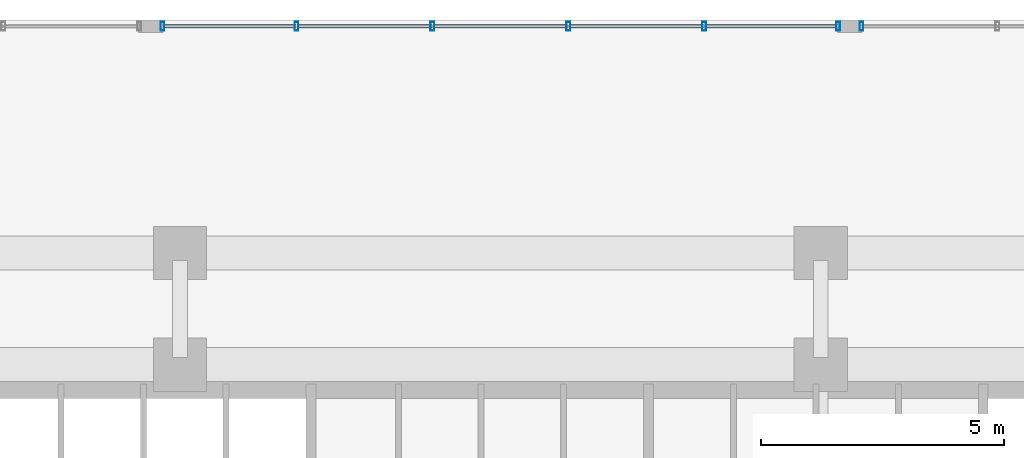
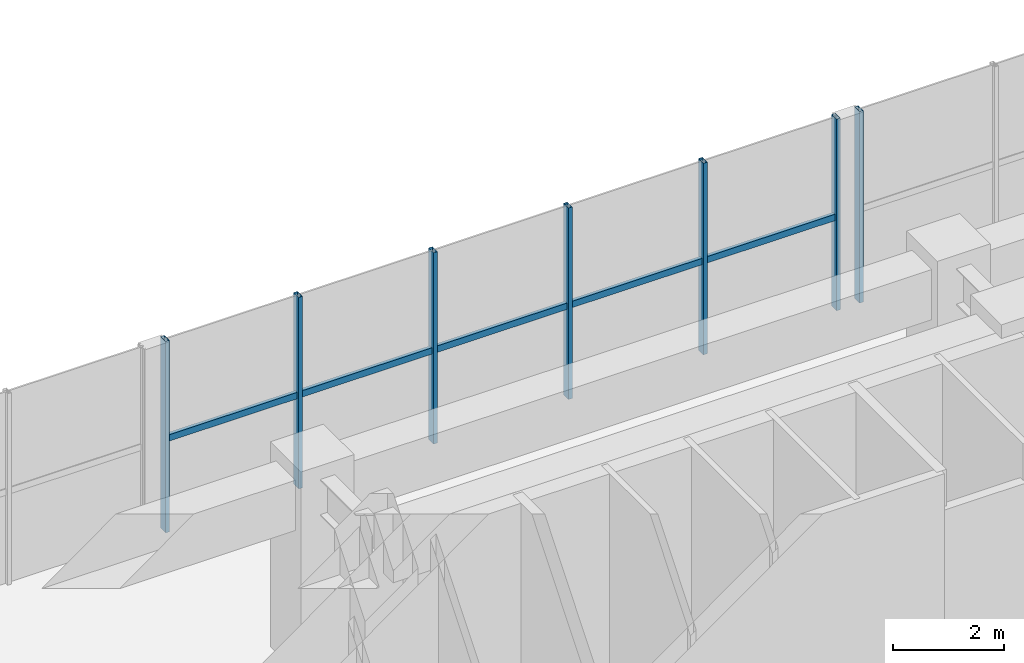
# One storey, part 10 of 24: 12 members, 2 elements without a shape of their own.
"""IFC4 building model written with IfcOpenShell, lengths in metres."""

from ifc_helpers import new_model, si_unit, direction, frame, origin, origin_2d, place, context, subcontext, project, spatial, hollow_rectangle, extrude, source, transform, mapped, material, material_profile, profile_set, type_object, element, aggregate, save


model = new_model("IFC4")

# Units and contexts
model_context = context("Model", 3, precision=1e-05, world=origin(), true_north=direction((0.0, 1.0)))
body_context = subcontext(model_context, "Body", "Model", "MODEL_VIEW")
ifc_project = project(units=[si_unit("LENGTHUNIT", "METRE"), si_unit("AREAUNIT", "SQUARE_METRE"), si_unit("VOLUMEUNIT", "CUBIC_METRE"), si_unit("PLANEANGLEUNIT", "RADIAN"), si_unit("MASSUNIT", "GRAM", prefix="KILO")], contexts=[model_context])

# Site, building, storey
site_placement = place(None, origin())
site = spatial("IfcSite", under=ifc_project, at=site_placement, CompositionType="ELEMENT")
building_placement = place(site_placement, origin())
building = spatial("IfcBuilding", under=site, at=building_placement, Name="Trelvane Seafront Commons", CompositionType="ELEMENT")
storey_placement = place(building_placement, frame((0.0, 0.0, 9.699951171875)))
storey = spatial("IfcBuildingStorey", under=building, at=storey_placement, Name="L02", CompositionType="ELEMENT", Elevation=9.699951171875)

# Curtain wall, members
ifc_material = material(Name="Anodised pale-silver aluminium", Category="aluminium")
curtain_wall_type = type_object("IfcCurtainWallType", Name="ARCH-CW1-PODIUM", PredefinedType="NOTDEFINED", material=ifc_material)
curtain_wall_1_placement = place(storey_placement, origin())
curtain_wall_1 = element("IfcCurtainWall", 1, at=curtain_wall_1_placement, inside=storey, type_object=curtain_wall_type, Name="CW-L02-0014", PredefinedType="NOTDEFINED")
ifc_material_profile_1 = material_profile(ifc_material, hollow_rectangle(XDim=0.080078125, YDim=0.179931640625, WallThickness=0.00439453125, at=origin_2d()), Name="MULL-80x180x4.5")
ifc_profile_set_1 = profile_set([ifc_material_profile_1], Name="Anodised pale-silver aluminium")
member_type_1 = type_object("IfcMemberType", Name="ARCH-CW-MULL-180", PredefinedType="MULLION", material=ifc_profile_set_1)
shared_shape_1 = source(origin(), body_context, "Body", "SweptSolid", [
    extrude(hollow_rectangle(XDim=0.080078125, YDim=0.179931640625, WallThickness=0.00439453125, at=origin_2d()), origin(), (0.0, 0.0, 1.0), 4.199951171875),
])
member_1_placement = place(storey_placement, frame((30.239990234375, 52.070068359375, 0.0), z_axis=(0.0, 0.0, 1.0), x_axis=(1.0, 0.0, 0.0)))
member_1 = element("IfcMember", 2, at=member_1_placement, type_object=member_type_1, Name="CW-L02-0014-M00", PredefinedType="MULLION", context=body_context, shape_type="MappedRepresentation", body=[
    mapped(shared_shape_1, transform((0.0, 0.0, 0.0), x_axis=(1.0, 0.0, 0.0), y_axis=(0.0, 1.0, 0.0), z_axis=(0.0, 0.0, 1.0), scale=1.0)),
])
member_2_placement = place(storey_placement, frame((33.0, 52.070068359375, 0.0), z_axis=(0.0, 0.0, 1.0), x_axis=(1.0, 0.0, 0.0)))
member_2 = element("IfcMember", 3, at=member_2_placement, type_object=member_type_1, Name="CW-L02-0014-M01", PredefinedType="MULLION", context=body_context, shape_type="MappedRepresentation", body=[
    mapped(shared_shape_1, transform((0.0, 0.0, 0.0), x_axis=(1.0, 0.0, 0.0), y_axis=(0.0, 1.0, 0.0), z_axis=(0.0, 0.0, 1.0), scale=1.0)),
])
member_3_placement = place(storey_placement, frame((35.800048828125, 52.070068359375, 0.0), z_axis=(0.0, 0.0, 1.0), x_axis=(1.0, 0.0, 0.0)))
member_3 = element("IfcMember", 4, at=member_3_placement, type_object=member_type_1, Name="CW-L02-0014-M02", PredefinedType="MULLION", context=body_context, shape_type="MappedRepresentation", body=[
    mapped(shared_shape_1, transform((0.0, 0.0, 0.0), x_axis=(1.0, 0.0, 0.0), y_axis=(0.0, 1.0, 0.0), z_axis=(0.0, 0.0, 1.0), scale=1.0)),
])
member_4_placement = place(storey_placement, frame((38.60009765625, 52.070068359375, 0.0), z_axis=(0.0, 0.0, 1.0), x_axis=(1.0, 0.0, 0.0)))
member_4 = element("IfcMember", 5, at=member_4_placement, type_object=member_type_1, Name="CW-L02-0014-M03", PredefinedType="MULLION", context=body_context, shape_type="MappedRepresentation", body=[
    mapped(shared_shape_1, transform((0.0, 0.0, 0.0), x_axis=(1.0, 0.0, 0.0), y_axis=(0.0, 1.0, 0.0), z_axis=(0.0, 0.0, 1.0), scale=1.0)),
])
member_5_placement = place(storey_placement, frame((41.39990234375, 52.070068359375, 0.0), z_axis=(0.0, 0.0, 1.0), x_axis=(1.0, 0.0, 0.0)))
member_5 = element("IfcMember", 6, at=member_5_placement, type_object=member_type_1, Name="CW-L02-0014-M04", PredefinedType="MULLION", context=body_context, shape_type="MappedRepresentation", body=[
    mapped(shared_shape_1, transform((0.0, 0.0, 0.0), x_axis=(1.0, 0.0, 0.0), y_axis=(0.0, 1.0, 0.0), z_axis=(0.0, 0.0, 1.0), scale=1.0)),
])
member_6_placement = place(storey_placement, frame((44.159912109375, 52.070068359375, 0.0), z_axis=(0.0, 0.0, 1.0), x_axis=(1.0, 0.0, 0.0)))
member_6 = element("IfcMember", 7, at=member_6_placement, type_object=member_type_1, Name="CW-L02-0014-M05", PredefinedType="MULLION", context=body_context, shape_type="MappedRepresentation", body=[
    mapped(shared_shape_1, transform((0.0, 0.0, 0.0), x_axis=(1.0, 0.0, 0.0), y_axis=(0.0, 1.0, 0.0), z_axis=(0.0, 0.0, 1.0), scale=1.0)),
])

# Curtain wall, member
curtain_wall_2_placement = place(storey_placement, origin())
curtain_wall_2 = element("IfcCurtainWall", 8, at=curtain_wall_2_placement, inside=storey, type_object=curtain_wall_type, Name="CW-L02-0015", PredefinedType="NOTDEFINED")
member_7_placement = place(storey_placement, frame((44.639892578125, 52.070068359375, 0.0), z_axis=(0.0, 0.0, 1.0), x_axis=(1.0, 0.0, 0.0)))
member_7 = element("IfcMember", 9, at=member_7_placement, type_object=member_type_1, Name="CW-L02-0015-M00", PredefinedType="MULLION", context=body_context, shape_type="MappedRepresentation", body=[
    mapped(shared_shape_1, transform((0.0, 0.0, 0.0), x_axis=(1.0, 0.0, 0.0), y_axis=(0.0, 1.0, 0.0), z_axis=(0.0, 0.0, 1.0), scale=1.0)),
])
aggregate(curtain_wall_2, [member_7])

# Member
ifc_material_profile_2 = material_profile(ifc_material, hollow_rectangle(XDim=0.074951171875, YDim=0.139892578125, WallThickness=0.00390625, at=origin_2d()), Name="TRAN-75x140x4")
ifc_profile_set_2 = profile_set([ifc_material_profile_2], Name="Anodised pale-silver aluminium")
member_type_2 = type_object("IfcMemberType", Name="ARCH-CW-TRAN-140", PredefinedType="USERDEFINED", material=ifc_profile_set_2)
shared_shape_2 = source(origin(), body_context, "Body", "SweptSolid", [
    extrude(hollow_rectangle(XDim=0.074951171875, YDim=0.139892578125, WallThickness=0.00390625, at=origin_2d()), origin(), (0.0, 0.0, 1.0), 2.776123046875),
])
member_8_placement = place(storey_placement, frame((30.2119140625, 52.070068359375, 2.01611328125), z_axis=(1.0, 0.0, 0.0), x_axis=(0.0, 1.0, 0.0)))
member_8 = element("IfcMember", 10, at=member_8_placement, type_object=member_type_2, Name="CW-L02-0014-T00", ObjectType="TRANSOM", PredefinedType="USERDEFINED", context=body_context, shape_type="MappedRepresentation", body=[
    mapped(shared_shape_2, transform((0.0, 0.0, 0.0), x_axis=(1.0, 0.0, 0.0), y_axis=(0.0, 1.0, 0.0), z_axis=(0.0, 0.0, 1.0), scale=1.0)),
])

member_9_placement = place(storey_placement, frame((33.011962890625, 52.070068359375, 2.01611328125), z_axis=(1.0, 0.0, 0.0), x_axis=(0.0, 1.0, 0.0)))
member_9 = element("IfcMember", 11, at=member_9_placement, type_object=member_type_2, Name="CW-L02-0014-T01", ObjectType="TRANSOM", PredefinedType="USERDEFINED", context=body_context, shape_type="MappedRepresentation", body=[
    mapped(shared_shape_2, transform((0.0, 0.0, 0.0), x_axis=(1.0, 0.0, 0.0), y_axis=(0.0, 1.0, 0.0), z_axis=(0.0, 0.0, 1.0), scale=1.0)),
])

shared_shape_3 = source(origin(), body_context, "Body", "SweptSolid", [
    extrude(hollow_rectangle(XDim=0.074951171875, YDim=0.139892578125, WallThickness=0.00390625, at=origin_2d()), origin(), (0.0, 0.0, 1.0), 2.77587890625),
])
member_10_placement = place(storey_placement, frame((35.81201171875, 52.070068359375, 2.01611328125), z_axis=(1.0, 0.0, 0.0), x_axis=(0.0, 1.0, 0.0)))
member_10 = element("IfcMember", 12, at=member_10_placement, type_object=member_type_2, Name="CW-L02-0014-T02", ObjectType="TRANSOM", PredefinedType="USERDEFINED", context=body_context, shape_type="MappedRepresentation", body=[
    mapped(shared_shape_3, transform((0.0, 0.0, 0.0), x_axis=(1.0, 0.0, 0.0), y_axis=(0.0, 1.0, 0.0), z_axis=(0.0, 0.0, 1.0), scale=1.0)),
])

member_11_placement = place(storey_placement, frame((38.612060546875, 52.070068359375, 2.01611328125), z_axis=(1.0, 0.0, 0.0), x_axis=(0.0, 1.0, 0.0)))
member_11 = element("IfcMember", 13, at=member_11_placement, type_object=member_type_2, Name="CW-L02-0014-T03", ObjectType="TRANSOM", PredefinedType="USERDEFINED", context=body_context, shape_type="MappedRepresentation", body=[
    mapped(shared_shape_3, transform((0.0, 0.0, 0.0), x_axis=(1.0, 0.0, 0.0), y_axis=(0.0, 1.0, 0.0), z_axis=(0.0, 0.0, 1.0), scale=1.0)),
])

member_12_placement = place(storey_placement, frame((41.412109375, 52.070068359375, 2.01611328125), z_axis=(1.0, 0.0, 0.0), x_axis=(0.0, 1.0, 0.0)))
member_12 = element("IfcMember", 14, at=member_12_placement, type_object=member_type_2, Name="CW-L02-0014-T04", ObjectType="TRANSOM", PredefinedType="USERDEFINED", context=body_context, shape_type="MappedRepresentation", body=[
    mapped(shared_shape_3, transform((0.0, 0.0, 0.0), x_axis=(1.0, 0.0, 0.0), y_axis=(0.0, 1.0, 0.0), z_axis=(0.0, 0.0, 1.0), scale=1.0)),
])

aggregate(curtain_wall_1, [member_1, member_2, member_3, member_4, member_5, member_6, member_8, member_9, member_10, member_11, member_12])

save(model, "model.ifc")
